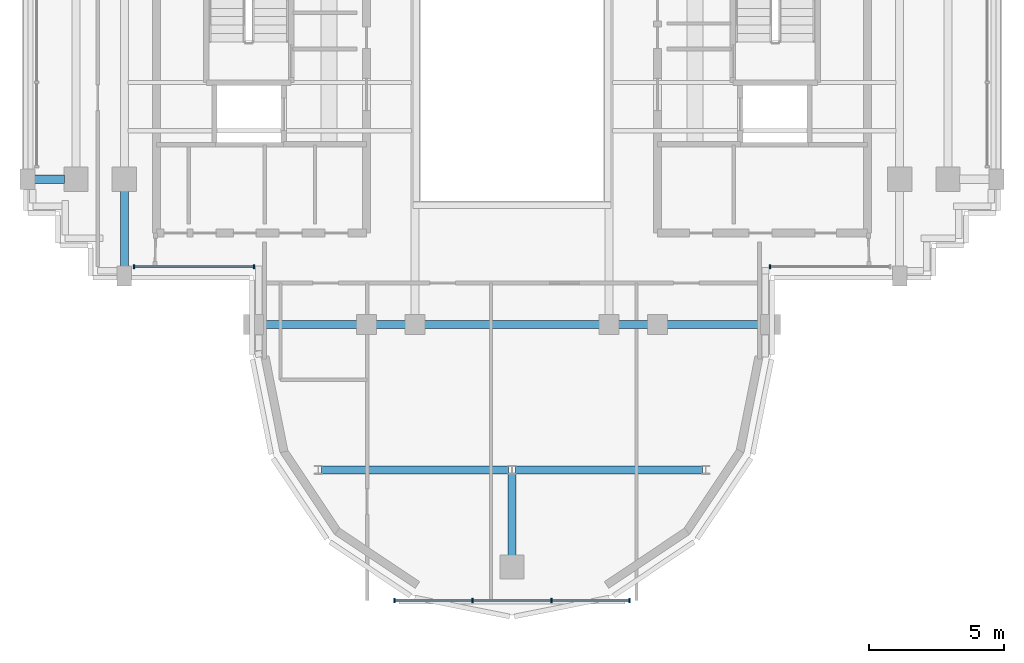
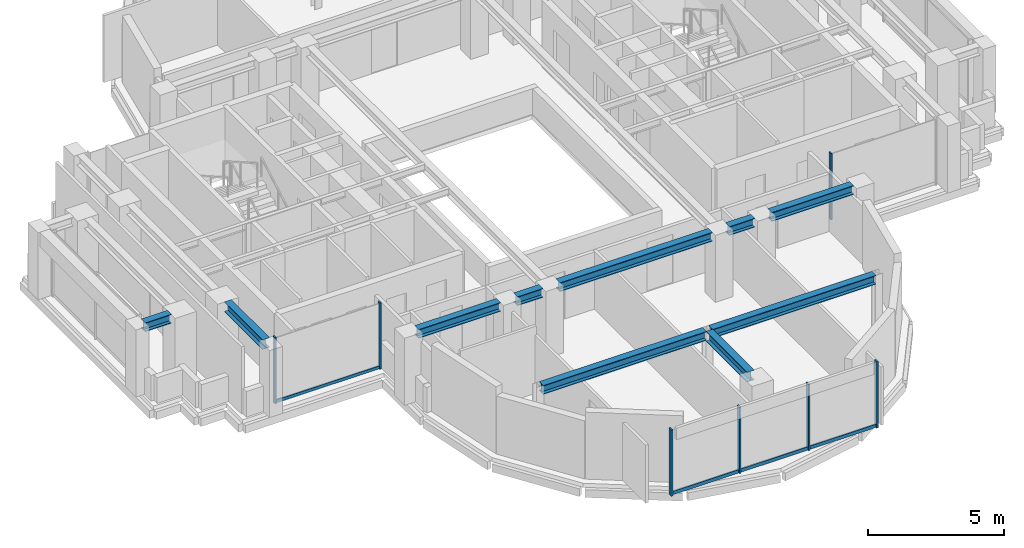
# One storey, part 3 of 13: 11 members, 10 beams, 3 elements without a shape of their own.
"""IFC4 building model written with IfcOpenShell, lengths in metres."""

from ifc_helpers import new_model, si_unit, direction, frame, origin, origin_2d, place, context, subcontext, project, spatial, rectangle, i_section, extrude, source, transform, mapped, material, material_profile, profile_set, type_object, element, aggregate, save


model = new_model("IFC4")

# Units and contexts
model_context = context("Model", 3, precision=1e-05, world=origin(), true_north=direction((0.0, 1.0)))
body_context = subcontext(model_context, "Body", "Model", "MODEL_VIEW")
ifc_project = project(units=[si_unit("LENGTHUNIT", "METRE"), si_unit("AREAUNIT", "SQUARE_METRE"), si_unit("VOLUMEUNIT", "CUBIC_METRE"), si_unit("PLANEANGLEUNIT", "RADIAN"), si_unit("MASSUNIT", "GRAM", prefix="KILO")], contexts=[model_context])

# Site, building, storey
site_placement = place(None, origin())
site = spatial("IfcSite", under=ifc_project, at=site_placement, CompositionType="ELEMENT")
building_placement = place(site_placement, origin())
building = spatial("IfcBuilding", under=site, at=building_placement, Name="Keilestroom Media Tower", CompositionType="ELEMENT")
storey_placement = place(building_placement, frame((0.0, 0.0, 230.0)))
storey = spatial("IfcBuildingStorey", under=building, at=storey_placement, Name="L63", CompositionType="ELEMENT", Elevation=230.0)

# Beams
ifc_material_1 = material(Name="Steel S355", Category="steel")
ifc_material_profile_1 = material_profile(ifc_material_1, i_section(OverallWidth=0.300048828125, OverallDepth=0.39990234375, WebThickness=0.011474609375, FlangeThickness=0.02392578125, at=origin_2d()), Name="HEB 400")
ifc_profile_set_1 = profile_set([ifc_material_profile_1], Name="Steel S355")
beam_type_1 = type_object("IfcBeamType", Name="Primary-Structural-Girder-HEB-400", PredefinedType="BEAM", material=ifc_profile_set_1)
shared_shape_1 = source(origin(), body_context, "Body", "SweptSolid", [
    extrude(i_section(OverallWidth=0.300048828125, OverallDepth=0.39990234375, WebThickness=0.011474609375, FlangeThickness=0.02392578125, at=origin_2d()), origin(), (0.0, 0.0, 1.0), 6.940185546875),
])
for number, where, z_axis, x_axis, name in (
    (1, (-7.070068359375, -14.39990234375, 2.81005859375), (1.0, 0.0, 0.0), (0.0, 1.0, 0.0), "L63 Beam BG-8 BM-L63-EW-001"),
    (2, (0.1298828125, -14.39990234375, 2.81005859375), (1.0, 0.0, 0.0), (0.0, 1.0, 0.0), "L63 Beam BG-8 BM-L63-EW-002"),
):
    element("IfcBeam", number, at=place(storey_placement, frame(where, z_axis=z_axis, x_axis=x_axis)), inside=storey, type_object=beam_type_1, Name=name, PredefinedType="BEAM", context=body_context, shape_type="MappedRepresentation", body=[
        mapped(shared_shape_1, transform((0.0, 0.0, 0.0), x_axis=(1.0, 0.0, 0.0), y_axis=(0.0, 1.0, 0.0), z_axis=(0.0, 0.0, 1.0), scale=1.0)),
    ])
shared_shape_2 = source(origin(), body_context, "Body", "SweptSolid", [
    extrude(i_section(OverallWidth=0.300048828125, OverallDepth=0.39990234375, WebThickness=0.011474609375, FlangeThickness=0.02392578125, at=origin_2d()), origin(), (0.0, 0.0, 1.0), 3.490234375),
])
for number, where, z_axis, x_axis, name in (
    (3, (-9.2451171875, -9.0, 2.81005859375), (1.0, 0.0, 0.0), (0.0, 1.0, 0.0), "L63 Beam BG-8 BM-L63-EW-003"),
    (4, (5.7548828125, -9.0, 2.81005859375), (1.0, 0.0, 0.0), (0.0, 1.0, 0.0), "L63 Beam BG-8 BM-L63-EW-007"),
):
    element("IfcBeam", number, at=place(storey_placement, frame(where, z_axis=z_axis, x_axis=x_axis)), inside=storey, type_object=beam_type_1, Name=name, PredefinedType="BEAM", context=body_context, shape_type="MappedRepresentation", body=[
        mapped(shared_shape_2, transform((0.0, 0.0, 0.0), x_axis=(1.0, 0.0, 0.0), y_axis=(0.0, 1.0, 0.0), z_axis=(0.0, 0.0, 1.0), scale=1.0)),
    ])
shared_shape_3 = source(origin(), body_context, "Body", "SweptSolid", [
    extrude(i_section(OverallWidth=0.300048828125, OverallDepth=0.39990234375, WebThickness=0.011474609375, FlangeThickness=0.02392578125, at=origin_2d()), origin(), (0.0, 0.0, 1.0), 1.08984375),
])
for number, where, z_axis, x_axis, name in (
    (5, (-5.044921875, -9.0, 2.81005859375), (1.0, 0.0, 0.0), (0.0, 1.0, 0.0), "L63 Beam BG-8 BM-L63-EW-004"),
    (6, (3.955078125, -9.0, 2.81005859375), (1.0, 0.0, 0.0), (0.0, 1.0, 0.0), "L63 Beam BG-8 BM-L63-EW-006"),
):
    element("IfcBeam", number, at=place(storey_placement, frame(where, z_axis=z_axis, x_axis=x_axis)), inside=storey, type_object=beam_type_1, Name=name, PredefinedType="BEAM", context=body_context, shape_type="MappedRepresentation", body=[
        mapped(shared_shape_3, transform((0.0, 0.0, 0.0), x_axis=(1.0, 0.0, 0.0), y_axis=(0.0, 1.0, 0.0), z_axis=(0.0, 0.0, 1.0), scale=1.0)),
    ])
shared_shape_4 = source(origin(), body_context, "Body", "SweptSolid", [
    extrude(i_section(OverallWidth=0.300048828125, OverallDepth=0.39990234375, WebThickness=0.011474609375, FlangeThickness=0.02392578125, at=origin_2d()), origin(), (0.0, 0.0, 1.0), 6.490234375),
])
beam_1_placement = place(storey_placement, frame((-3.2451171875, -9.0, 2.81005859375), z_axis=(1.0, 0.0, 0.0), x_axis=(0.0, 1.0, 0.0)))
element("IfcBeam", 7, at=beam_1_placement, inside=storey, type_object=beam_type_1, Name="L63 Beam BG-8 BM-L63-EW-005", PredefinedType="BEAM", context=body_context, shape_type="MappedRepresentation", body=[
    mapped(shared_shape_4, transform((0.0, 0.0, 0.0), x_axis=(1.0, 0.0, 0.0), y_axis=(0.0, 1.0, 0.0), z_axis=(0.0, 0.0, 1.0), scale=1.0)),
])
shared_shape_5 = source(origin(), body_context, "Body", "SweptSolid", [
    extrude(i_section(OverallWidth=0.300048828125, OverallDepth=0.39990234375, WebThickness=0.011474609375, FlangeThickness=0.02392578125, at=origin_2d()), origin(), (0.0, 0.0, 1.0), 1.115234375),
])
beam_2_placement = place(storey_placement, frame((-17.7451171875, -3.60009765625, 2.81005859375), z_axis=(1.0, 0.0, 0.0), x_axis=(0.0, 1.0, 0.0)))
element("IfcBeam", 8, at=beam_2_placement, inside=storey, type_object=beam_type_1, Name="L63 Beam BG-8 BM-L63-EW-008", PredefinedType="BEAM", context=body_context, shape_type="MappedRepresentation", body=[
    mapped(shared_shape_5, transform((0.0, 0.0, 0.0), x_axis=(1.0, 0.0, 0.0), y_axis=(0.0, 1.0, 0.0), z_axis=(0.0, 0.0, 1.0), scale=1.0)),
])
ifc_material_profile_2 = material_profile(ifc_material_1, i_section(OverallWidth=0.300048828125, OverallDepth=0.43994140625, WebThickness=0.011474609375, FlangeThickness=0.02099609375, at=origin_2d()), Name="HEA 450")
ifc_profile_set_2 = profile_set([ifc_material_profile_2], Name="Steel S355")
beam_type_2 = type_object("IfcBeamType", Name="Primary-Structural-Girder-HEA-450", PredefinedType="BEAM", material=ifc_profile_set_2)
shared_shape_6 = source(origin(), body_context, "Body", "SweptSolid", [
    extrude(i_section(OverallWidth=0.300048828125, OverallDepth=0.43994140625, WebThickness=0.011474609375, FlangeThickness=0.02099609375, at=origin_2d()), origin(), (0.0, 0.0, 1.0), 2.81494140625),
])
beam_3_placement = place(storey_placement, frame((-14.39990234375, -6.844970703125, 2.7900390625), z_axis=(0.0, 1.0, 0.0), x_axis=(-1.0, 0.0, 0.0)))
element("IfcBeam", 9, at=beam_3_placement, inside=storey, type_object=beam_type_2, Name="L63 Beam BG-11 BM-L63-NS-027", PredefinedType="BEAM", context=body_context, shape_type="MappedRepresentation", body=[
    mapped(shared_shape_6, transform((0.0, 0.0, 0.0), x_axis=(1.0, 0.0, 0.0), y_axis=(0.0, 1.0, 0.0), z_axis=(0.0, 0.0, 1.0), scale=1.0)),
])
shared_shape_7 = source(origin(), body_context, "Body", "SweptSolid", [
    extrude(i_section(OverallWidth=0.300048828125, OverallDepth=0.43994140625, WebThickness=0.011474609375, FlangeThickness=0.02099609375, at=origin_2d()), origin(), (0.0, 0.0, 1.0), 3.0400390625),
])
beam_4_placement = place(storey_placement, frame((0.0, -17.570068359375, 2.7900390625), z_axis=(0.0, 1.0, 0.0), x_axis=(-1.0, 0.0, 0.0)))
element("IfcBeam", 10, at=beam_4_placement, inside=storey, type_object=beam_type_2, Name="L63 Beam BG-11 BM-L63-NS-034", PredefinedType="BEAM", context=body_context, shape_type="MappedRepresentation", body=[
    mapped(shared_shape_7, transform((0.0, 0.0, 0.0), x_axis=(1.0, 0.0, 0.0), y_axis=(0.0, 1.0, 0.0), z_axis=(0.0, 0.0, 1.0), scale=1.0)),
])

# Curtain wall, members
ifc_material_2 = material(Name="Anodised Aluminium Alloy", Category="aluminium")
curtain_wall_type_1 = type_object("IfcCurtainWallType", Name="Unitised-Curtain-Wall-CW-6", PredefinedType="NOTDEFINED", material=ifc_material_2)
curtain_wall_1_placement = place(storey_placement, origin())
curtain_wall_1 = element("IfcCurtainWall", 11, at=curtain_wall_1_placement, inside=storey, type_object=curtain_wall_type_1, Name="L63 Curtain Wall CW-6 CW-L63-LS-1", PredefinedType="NOTDEFINED")
ifc_material_profile_3 = material_profile(ifc_material_2, rectangle(XDim=0.06494140625, YDim=0.179931640625, at=origin_2d()), Name="ALU MULLION 65x180")
ifc_profile_set_3 = profile_set([ifc_material_profile_3], Name="Anodised Aluminium Alloy")
member_type_1 = type_object("IfcMemberType", Name="Curtain-Wall-Mullion-CW-6", PredefinedType="MULLION", material=ifc_profile_set_3)
shared_shape_8 = source(origin(), body_context, "Body", "SweptSolid", [
    extrude(rectangle(XDim=0.06494140625, YDim=0.179931640625, at=origin_2d()), origin(), (0.0, 0.0, 1.0), 2.97998046875),
])
member_1_placement = place(storey_placement, frame((-4.367431640625, -19.25, 0.0), z_axis=(0.0, 0.0, 1.0), x_axis=(1.0, 0.0, 0.0)))
member_1 = element("IfcMember", 12, at=member_1_placement, type_object=member_type_1, Name="CW-6 Mullion 00", PredefinedType="MULLION", context=body_context, shape_type="MappedRepresentation", body=[
    mapped(shared_shape_8, transform((0.0, 0.0, 0.0), x_axis=(1.0, 0.0, 0.0), y_axis=(0.0, 1.0, 0.0), z_axis=(0.0, 0.0, 1.0), scale=1.0)),
])
member_2_placement = place(storey_placement, frame((-1.466796875, -19.25, 0.0), z_axis=(0.0, 0.0, 1.0), x_axis=(1.0, 0.0, 0.0)))
member_2 = element("IfcMember", 13, at=member_2_placement, type_object=member_type_1, Name="CW-6 Mullion 01", PredefinedType="MULLION", context=body_context, shape_type="MappedRepresentation", body=[
    mapped(shared_shape_8, transform((0.0, 0.0, 0.0), x_axis=(1.0, 0.0, 0.0), y_axis=(0.0, 1.0, 0.0), z_axis=(0.0, 0.0, 1.0), scale=1.0)),
])
member_3_placement = place(storey_placement, frame((1.466796875, -19.25, 0.0), z_axis=(0.0, 0.0, 1.0), x_axis=(1.0, 0.0, 0.0)))
member_3 = element("IfcMember", 14, at=member_3_placement, type_object=member_type_1, Name="CW-6 Mullion 02", PredefinedType="MULLION", context=body_context, shape_type="MappedRepresentation", body=[
    mapped(shared_shape_8, transform((0.0, 0.0, 0.0), x_axis=(1.0, 0.0, 0.0), y_axis=(0.0, 1.0, 0.0), z_axis=(0.0, 0.0, 1.0), scale=1.0)),
])
member_4_placement = place(storey_placement, frame((4.367431640625, -19.25, 0.0), z_axis=(0.0, 0.0, 1.0), x_axis=(1.0, 0.0, 0.0)))
member_4 = element("IfcMember", 15, at=member_4_placement, type_object=member_type_1, Name="CW-6 Mullion 03", PredefinedType="MULLION", context=body_context, shape_type="MappedRepresentation", body=[
    mapped(shared_shape_8, transform((0.0, 0.0, 0.0), x_axis=(1.0, 0.0, 0.0), y_axis=(0.0, 1.0, 0.0), z_axis=(0.0, 0.0, 1.0), scale=1.0)),
])
ifc_material_profile_4 = material_profile(ifc_material_2, rectangle(XDim=0.06494140625, YDim=0.14990234375, at=origin_2d()), Name="ALU TRANSOM 65x150")
ifc_profile_set_4 = profile_set([ifc_material_profile_4], Name="Anodised Aluminium Alloy")
member_type_2 = type_object("IfcMemberType", Name="Curtain-Wall-Transom-CW-6", PredefinedType="USERDEFINED", material=ifc_profile_set_4)
shared_shape_9 = source(origin(), body_context, "Body", "SweptSolid", [
    extrude(rectangle(XDim=0.06494140625, YDim=0.14990234375, at=origin_2d()), origin(), (0.0, 0.0, 1.0), 2.839599609375),
])
member_5_placement = place(storey_placement, frame((-4.3369140625, -19.25, 0.074951171875), z_axis=(1.0, 0.0, 0.0), x_axis=(0.0, 1.0, 0.0)))
member_5 = element("IfcMember", 16, at=member_5_placement, type_object=member_type_2, Name="CW-6 Transom 00.1", ObjectType="TRANSOM", PredefinedType="USERDEFINED", context=body_context, shape_type="MappedRepresentation", body=[
    mapped(shared_shape_9, transform((0.0, 0.0, 0.0), x_axis=(1.0, 0.0, 0.0), y_axis=(0.0, 1.0, 0.0), z_axis=(0.0, 0.0, 1.0), scale=1.0)),
])
member_6_placement = place(storey_placement, frame((1.497314453125, -19.25, 0.074951171875), z_axis=(1.0, 0.0, 0.0), x_axis=(0.0, 1.0, 0.0)))
member_6 = element("IfcMember", 17, at=member_6_placement, type_object=member_type_2, Name="CW-6 Transom 02.1", ObjectType="TRANSOM", PredefinedType="USERDEFINED", context=body_context, shape_type="MappedRepresentation", body=[
    mapped(shared_shape_9, transform((0.0, 0.0, 0.0), x_axis=(1.0, 0.0, 0.0), y_axis=(0.0, 1.0, 0.0), z_axis=(0.0, 0.0, 1.0), scale=1.0)),
])
shared_shape_10 = source(origin(), body_context, "Body", "SweptSolid", [
    extrude(rectangle(XDim=0.06494140625, YDim=0.14990234375, at=origin_2d()), origin(), (0.0, 0.0, 1.0), 2.87255859375),
])
member_7_placement = place(storey_placement, frame((-1.436279296875, -19.25, 0.074951171875), z_axis=(1.0, 0.0, 0.0), x_axis=(0.0, 1.0, 0.0)))
member_7 = element("IfcMember", 18, at=member_7_placement, type_object=member_type_2, Name="CW-6 Transom 01.1", ObjectType="TRANSOM", PredefinedType="USERDEFINED", context=body_context, shape_type="MappedRepresentation", body=[
    mapped(shared_shape_10, transform((0.0, 0.0, 0.0), x_axis=(1.0, 0.0, 0.0), y_axis=(0.0, 1.0, 0.0), z_axis=(0.0, 0.0, 1.0), scale=1.0)),
])
aggregate(curtain_wall_1, [member_1, member_2, member_3, member_4, member_5, member_7, member_6])

curtain_wall_type_2 = type_object("IfcCurtainWallType", Name="Unitised-Curtain-Wall-CW-4", PredefinedType="NOTDEFINED", material=ifc_material_2)
curtain_wall_2_placement = place(storey_placement, origin())
curtain_wall_2 = element("IfcCurtainWall", 19, at=curtain_wall_2_placement, inside=storey, type_object=curtain_wall_type_2, Name="L63 Curtain Wall CW-4 CW-L63-SW-1", PredefinedType="NOTDEFINED")
ifc_material_profile_5 = material_profile(ifc_material_2, rectangle(XDim=0.06005859375, YDim=0.159912109375, at=origin_2d()), Name="ALU MULLION 60x160")
ifc_profile_set_5 = profile_set([ifc_material_profile_5], Name="Anodised Aluminium Alloy")
member_type_3 = type_object("IfcMemberType", Name="Curtain-Wall-Mullion-CW-4", PredefinedType="MULLION", material=ifc_profile_set_5)
shared_shape_11 = source(origin(), body_context, "Body", "SweptSolid", [
    extrude(rectangle(XDim=0.06005859375, YDim=0.159912109375, at=origin_2d()), origin(), (0.0, 0.0, 1.0), 2.97998046875),
])
member_8_placement = place(storey_placement, frame((-14.034912109375, -6.85009765625, 0.0), z_axis=(0.0, 0.0, 1.0), x_axis=(1.0, 0.0, 0.0)))
member_8 = element("IfcMember", 20, at=member_8_placement, type_object=member_type_3, Name="CW-4 Mullion 00", PredefinedType="MULLION", context=body_context, shape_type="MappedRepresentation", body=[
    mapped(shared_shape_11, transform((0.0, 0.0, 0.0), x_axis=(1.0, 0.0, 0.0), y_axis=(0.0, 1.0, 0.0), z_axis=(0.0, 0.0, 1.0), scale=1.0)),
])
member_9_placement = place(storey_placement, frame((-9.580078125, -6.85009765625, 0.0), z_axis=(0.0, 0.0, 1.0), x_axis=(1.0, 0.0, 0.0)))
member_9 = element("IfcMember", 21, at=member_9_placement, type_object=member_type_3, Name="CW-4 Mullion 01", PredefinedType="MULLION", context=body_context, shape_type="MappedRepresentation", body=[
    mapped(shared_shape_11, transform((0.0, 0.0, 0.0), x_axis=(1.0, 0.0, 0.0), y_axis=(0.0, 1.0, 0.0), z_axis=(0.0, 0.0, 1.0), scale=1.0)),
])

# Curtain wall, member
curtain_wall_3_placement = place(storey_placement, origin())
curtain_wall_3 = element("IfcCurtainWall", 22, at=curtain_wall_3_placement, inside=storey, type_object=curtain_wall_type_2, Name="L63 Curtain Wall CW-4 CW-L63-SE-1", PredefinedType="NOTDEFINED")
member_10_placement = place(storey_placement, frame((9.580078125, -6.85009765625, 0.0), z_axis=(0.0, 0.0, 1.0), x_axis=(1.0, 0.0, 0.0)))
member_10 = element("IfcMember", 23, at=member_10_placement, type_object=member_type_3, Name="CW-4 Mullion 00", PredefinedType="MULLION", context=body_context, shape_type="MappedRepresentation", body=[
    mapped(shared_shape_11, transform((0.0, 0.0, 0.0), x_axis=(1.0, 0.0, 0.0), y_axis=(0.0, 1.0, 0.0), z_axis=(0.0, 0.0, 1.0), scale=1.0)),
])
aggregate(curtain_wall_3, [member_10])

# Member
ifc_material_profile_6 = material_profile(ifc_material_2, rectangle(XDim=0.06005859375, YDim=0.1298828125, at=origin_2d()), Name="ALU TRANSOM 60x130")
ifc_profile_set_6 = profile_set([ifc_material_profile_6], Name="Anodised Aluminium Alloy")
member_type_4 = type_object("IfcMemberType", Name="Curtain-Wall-Transom-CW-4", PredefinedType="USERDEFINED", material=ifc_profile_set_6)
shared_shape_12 = source(origin(), body_context, "Body", "SweptSolid", [
    extrude(rectangle(XDim=0.06005859375, YDim=0.1298828125, at=origin_2d()), origin(), (0.0, 0.0, 1.0), 4.399169921875),
])
member_11_placement = place(storey_placement, frame((-14.007080078125, -6.85009765625, 0.06494140625), z_axis=(1.0, 0.0, 0.0), x_axis=(0.0, 1.0, 0.0)))
member_11 = element("IfcMember", 24, at=member_11_placement, type_object=member_type_4, Name="CW-4 Transom 00.1", ObjectType="TRANSOM", PredefinedType="USERDEFINED", context=body_context, shape_type="MappedRepresentation", body=[
    mapped(shared_shape_12, transform((0.0, 0.0, 0.0), x_axis=(1.0, 0.0, 0.0), y_axis=(0.0, 1.0, 0.0), z_axis=(0.0, 0.0, 1.0), scale=1.0)),
])

aggregate(curtain_wall_2, [member_8, member_9, member_11])

save(model, "model.ifc")
